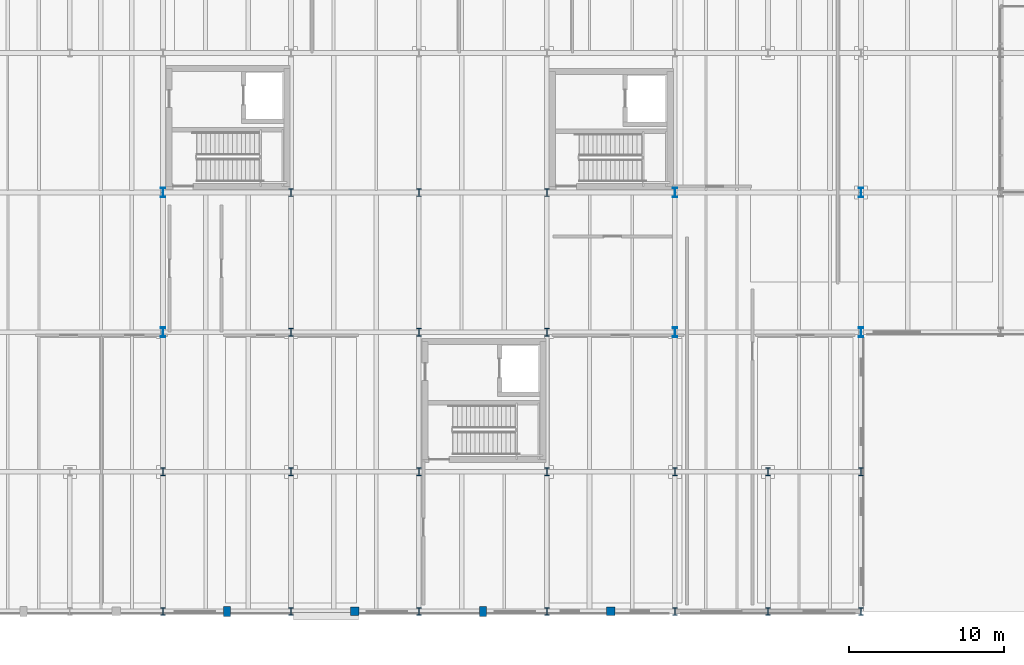
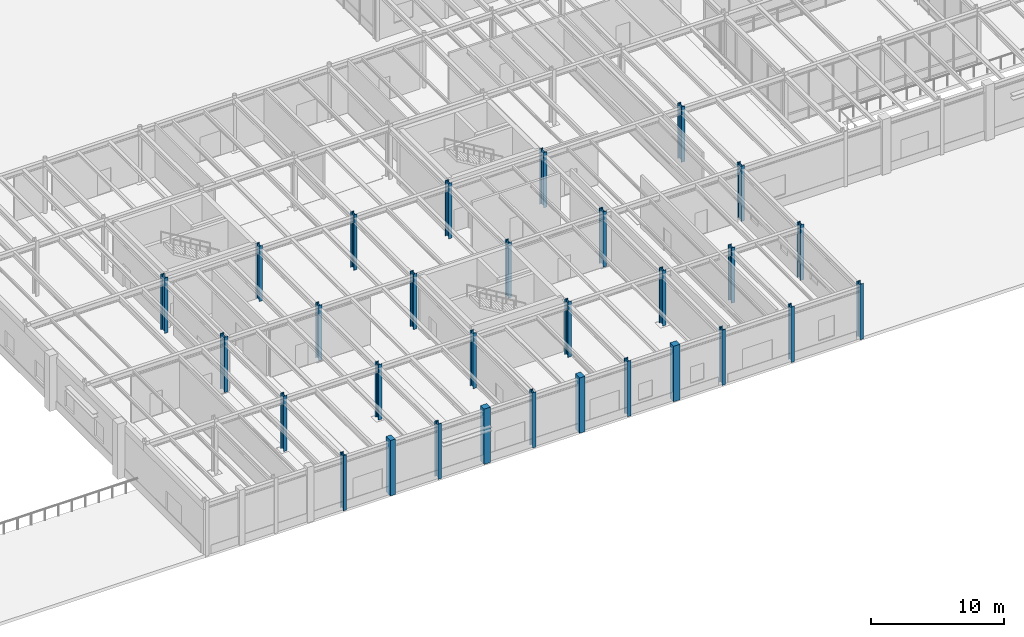
# One storey, part 4 of 64: 30 columns.
"""IFC4 building model written with IfcOpenShell, lengths in metres."""

import ifcopenshell
import ifcopenshell.guid

model = None  # the IFC model being written
_history = None  # IfcOwnerHistory: only IFC2X3 demands one
_inside = {}  # id of a spatial element -> (the spatial element, [elements in it])
_under = {}  # id of a project, library or spatial element -> (it, [spatial elements below it])
_declared = {}  # id of a project -> (the project, [libraries it declares])
_typed = {}  # id of a type object -> (the type object, [elements of that type])
_made_of = {}  # id of a material, layer set ... -> (it, [elements and type objects made of it])


def new_model(schema):
    """Start an empty IFC model of exactly this schema.

    Asked for "IFC4X3", IfcOpenShell would pick the latest addendum, in which some entities
    have other attributes; the version numbers below select the first issue.
    IFC2X3 requires an IfcOwnerHistory on every rooted entity: one is made here for all.
    """
    global model, _history
    if schema == "IFC4X3":
        model = ifcopenshell.file(schema_version=(4, 3, 0, 0))
    else:
        model = ifcopenshell.file(schema=schema)
    _inside.clear()
    _under.clear()
    _declared.clear()
    _typed.clear()
    _made_of.clear()
    _history = None
    if model.schema == "IFC2X3":
        org = make("IfcOrganization", Name="unknown")
        user = make(
            "IfcPersonAndOrganization",
            ThePerson=make("IfcPerson", FamilyName="unknown"),
            TheOrganization=org,
        )
        app = make(
            "IfcApplication",
            ApplicationDeveloper=org,
            Version="unknown",
            ApplicationFullName="unknown",
            ApplicationIdentifier="unknown",
        )
        _history = make(
            "IfcOwnerHistory",
            OwningUser=user,
            OwningApplication=app,
            ChangeAction="ADDED",
            CreationDate=0,
        )
    return model


def make(cls, **values):
    """One entity of the class cls with the attributes given. An attribute that is None is left unset."""
    return model.create_entity(
        cls, **{name: value for name, value in values.items() if value is not None}
    )


def rooted(cls, **values):
    """An entity with a GlobalId (a new one), such as an element, a storey or a relation."""
    return make(cls, GlobalId=ifcopenshell.guid.new(), OwnerHistory=_history, **values)


def si_unit(unit_type, name, prefix=None):
    """IfcSIUnit, for example si_unit("LENGTHUNIT", "METRE", prefix="MILLI")."""
    return make("IfcSIUnit", UnitType=unit_type, Prefix=prefix, Name=name)


def assignment(units):
    """IfcUnitAssignment: the units of a project."""
    return None if units is None else make("IfcUnitAssignment", Units=units)


def point(xyz):
    """IfcCartesianPoint."""
    return None if xyz is None else make("IfcCartesianPoint", Coordinates=xyz)


def direction(xyz):
    """IfcDirection."""
    return None if xyz is None else make("IfcDirection", DirectionRatios=xyz)


def frame(location, z_axis=None, x_axis=None):
    """IfcAxis2Placement3D, a coordinate frame: its origin and axes. An axis left out is left unset."""
    return make(
        "IfcAxis2Placement3D",
        Location=point(location),
        Axis=direction(z_axis),
        RefDirection=direction(x_axis),
    )


def frame_2d(location, x_axis=None):
    """IfcAxis2Placement2D, a coordinate frame in the plane: its origin and x axis."""
    return make(
        "IfcAxis2Placement2D", Location=point(location), RefDirection=direction(x_axis)
    )


def origin():
    """The frame at (0, 0, 0) with its axes left unset."""
    return frame((0.0, 0.0, 0.0))


def origin_2d():
    """The frame at (0, 0) in the plane with its x axis left unset."""
    return frame_2d((0.0, 0.0))


def place(relative_to, where):
    """IfcLocalPlacement: puts the frame where relative to a parent placement (None: the world)."""
    return make(
        "IfcLocalPlacement", PlacementRelTo=relative_to, RelativePlacement=where
    )


def context(
    kind, dimensions, precision=None, world=None, true_north=None, identifier=None
):
    """IfcGeometricRepresentationContext, for example the 3D "Model" context."""
    return make(
        "IfcGeometricRepresentationContext",
        ContextIdentifier=identifier,
        ContextType=kind,
        CoordinateSpaceDimension=dimensions,
        Precision=precision,
        WorldCoordinateSystem=world,
        TrueNorth=true_north,
    )


def subcontext(parent, identifier, kind, view, scale=None):
    """IfcGeometricRepresentationSubContext, for example "Body" below "Model"."""
    return make(
        "IfcGeometricRepresentationSubContext",
        ContextIdentifier=identifier,
        ContextType=kind,
        ParentContext=parent,
        TargetScale=scale,
        TargetView=view,
    )


def project(units=None, contexts=None):
    """IfcProject with its units and contexts."""
    return rooted(
        "IfcProject",
        Name="project",
        RepresentationContexts=contexts,
        UnitsInContext=assignment(units),
    )


def spatial(cls, under=None, at=None, **own):
    """A site, building, storey or space (cls), placed at a placement, below another one or the project."""
    s = rooted(cls, ObjectPlacement=at, **own)
    if under is not None:
        _under.setdefault(under.id(), (under, []))[1].append(s)
    return s


def profile(cls, at=None, kind="AREA", **sizes):
    """A parametric profile (cls). Its sizes go by their IFC names, for example OverallWidth=200.0."""
    return make(cls, ProfileType=kind, Position=at, **sizes)


def rectangle(**sizes):
    """IfcRectangleProfileDef."""
    return profile("IfcRectangleProfileDef", **sizes)


def i_section(**sizes):
    """IfcIShapeProfileDef."""
    return profile("IfcIShapeProfileDef", **sizes)


def extrude(swept, where, along, depth):
    """IfcExtrudedAreaSolid: the profile swept, set in the frame where, extruded along a direction by depth."""
    return make(
        "IfcExtrudedAreaSolid",
        SweptArea=swept,
        Position=where,
        ExtrudedDirection=direction(along),
        Depth=depth,
    )


def shape(context_of_items, identifier, shape_type, items):
    """IfcShapeRepresentation: the items that make up one representation, for example the "Body"."""
    return make(
        "IfcShapeRepresentation",
        ContextOfItems=context_of_items,
        RepresentationIdentifier=identifier,
        RepresentationType=shape_type,
        Items=items,
    )


def material(Name=None, Category=None):
    """IfcMaterial."""
    return make("IfcMaterial", Name=Name, Category=Category)


def material_profile(
    of_material, cross_section, Name=None, Category=None, Priority=None
):
    """IfcMaterialProfile: a cross section and its material."""
    return make(
        "IfcMaterialProfile",
        Name=Name,
        Material=of_material,
        Profile=cross_section,
        Priority=Priority,
        Category=Category,
    )


def profile_set(profiles, Name=None, composite=None):
    """IfcMaterialProfileSet."""
    return make(
        "IfcMaterialProfileSet",
        Name=Name,
        MaterialProfiles=profiles,
        CompositeProfile=composite,
    )


def made_of(thing, what):
    """Note that an element or type object is made of a material, layer set ...; save() writes the relation."""
    if what is not None:
        _made_of.setdefault(what.id(), (what, []))[1].append(thing)
    return thing


def type_object(cls, material=None, **own):
    """A type object (cls), such as IfcWallType, which elements share."""
    return made_of(rooted(cls, **own), material)


def element(
    cls,
    number,
    at=None,
    inside=None,
    cuts=None,
    type_object=None,
    material=None,
    context=None,
    identifier="Body",
    shape_type=None,
    held_by="IfcProductDefinitionShape",
    body=None,
    shapes=None,
    **own,
):
    """One element of the class cls, such as IfcWall. Its Tag is "e" and its number.

    at: its placement. inside: the storey or other place that contains it. cuts: it is an
    opening in that element (IfcRelVoidsElement). A single representation is given by context,
    identifier, shape_type and body (its items); several are given by shapes. held_by: the class
    of the entity that holds the representations. save() writes the other relations.
    """
    e = rooted(cls, Tag="e%d" % number, ObjectPlacement=at, **own)
    if body is not None:
        shapes = [shape(context, identifier, shape_type, body)]
    if shapes is not None:
        e.Representation = make(held_by, Representations=shapes)
    if inside is not None:
        _inside.setdefault(inside.id(), (inside, []))[1].append(e)
    if cuts is not None:
        rooted(
            "IfcRelVoidsElement", RelatingBuildingElement=cuts, RelatedOpeningElement=e
        )
    if type_object is not None:
        _typed.setdefault(type_object.id(), (type_object, []))[1].append(e)
    return made_of(e, material)


def aggregate(whole, parts):
    """IfcRelAggregates: a whole, such as a stair, and the parts it consists of."""
    return rooted("IfcRelAggregates", RelatingObject=whole, RelatedObjects=parts)


def save(model, path):
    """Write the relations noted so far, then the file.

    IfcRelAggregates (storeys below a building ...), IfcRelContainedInSpatialStructure (elements
    in a storey), IfcRelDefinesByType, IfcRelAssociatesMaterial and IfcRelDeclares: one each for
    every whole, place, type object, material and project.
    """
    for whole, parts in _under.values():
        aggregate(whole, parts)
    for where, things in _inside.values():
        rooted(
            "IfcRelContainedInSpatialStructure",
            RelatedElements=things,
            RelatingStructure=where,
        )
    for kind, things in _typed.values():
        rooted("IfcRelDefinesByType", RelatedObjects=things, RelatingType=kind)
    for what, things in _made_of.values():
        rooted("IfcRelAssociatesMaterial", RelatedObjects=things, RelatingMaterial=what)
    for by, libraries in _declared.values():
        rooted("IfcRelDeclares", RelatingContext=by, RelatedDefinitions=libraries)
    model.write(path)


model = new_model("IFC4")

# Units and contexts
model_context = context("Model", 3, precision=1e-05, world=origin(), true_north=direction((0.0, 1.0)))
body_context = subcontext(model_context, "Body", "Model", "MODEL_VIEW")
ifc_project = project(units=[si_unit("LENGTHUNIT", "METRE"), si_unit("AREAUNIT", "SQUARE_METRE"), si_unit("VOLUMEUNIT", "CUBIC_METRE"), si_unit("PLANEANGLEUNIT", "RADIAN"), si_unit("MASSUNIT", "GRAM", prefix="KILO")], contexts=[model_context])

# Site, building, storey
site_placement = place(None, origin())
site = spatial("IfcSite", under=ifc_project, at=site_placement, CompositionType="ELEMENT")
building_placement = place(site_placement, origin())
building = spatial("IfcBuilding", under=site, at=building_placement, Name="Montealbar Specialist Clinic", CompositionType="ELEMENT")
storey_placement = place(building_placement, origin())
storey = spatial("IfcBuildingStorey", under=building, at=storey_placement, Name="L00", CompositionType="ELEMENT", Elevation=0.0)

# Columns
ifc_material_1 = material(Name="Steel S355", Category="steel")
ifc_material_profile_1 = material_profile(ifc_material_1, i_section(OverallWidth=0.304931640625, OverallDepth=0.6201171875, WebThickness=0.02099609375, FlangeThickness=0.0400390625, FilletRadius=0.027099609375, at=origin_2d()), Name="HEM 600", Category="steel")
ifc_profile_set_1 = profile_set([ifc_material_profile_1], Name="Steel S355")
column_type_1 = type_object("IfcColumnType", Name="COL-S-L00-MEGA", PredefinedType="COLUMN", material=ifc_profile_set_1)
for number, where, z_axis, x_axis, name in (
    (1, (66.0, 18.0, 0.0), (0.0, 0.0, 1.0), (1.0, 0.0, 0.0), "Column 9/C L00"),
    (2, (66.0, 27.0, 0.0), (0.0, 0.0, 1.0), (1.0, 0.0, 0.0), "Column 9/D L00"),
    (3, (99.0, 18.0, 0.0), (0.0, 0.0, 1.0), (1.0, 0.0, 0.0), "Column 13/C L00"),
    (4, (99.0, 27.0, 0.0), (0.0, 0.0, 1.0), (1.0, 0.0, 0.0), "Column 13/D L00"),
    (5, (111.0, 27.0, 0.0), (0.0, 0.0, 1.0), (1.0, 0.0, 0.0), "Column 15/D L00"),
):
    element("IfcColumn", number, at=place(storey_placement, frame(where, z_axis=z_axis, x_axis=x_axis)), inside=storey, type_object=column_type_1, Name=name, PredefinedType="COLUMN", context=body_context, shape_type="SweptSolid", body=[
        extrude(i_section(OverallWidth=0.304931640625, OverallDepth=0.6201171875, WebThickness=0.02099609375, FlangeThickness=0.0400390625, FilletRadius=0.027099609375, at=origin_2d()), origin(), (0.0, 0.0, 1.0), 5.10009765625),
    ])
ifc_material_profile_2 = material_profile(ifc_material_1, i_section(OverallWidth=0.304931640625, OverallDepth=0.6201171875, WebThickness=0.02099609375, FlangeThickness=0.0400390625, FilletRadius=0.027099609375, at=origin_2d()), Name="HEM 600", Category="steel")
ifc_profile_set_2 = profile_set([ifc_material_profile_2], Name="Steel S355")
column_type_2 = type_object("IfcColumnType", Name="COL-S-L00-MEGA-EXT", PredefinedType="COLUMN", material=ifc_profile_set_2)
column_placement = place(storey_placement, frame((111.0, 18.0, 0.0), z_axis=(0.0, 0.0, 1.0), x_axis=(1.0, 0.0, 0.0)))
element("IfcColumn", 6, at=column_placement, inside=storey, type_object=column_type_2, Name="Column 15/C L00", PredefinedType="COLUMN", context=body_context, shape_type="SweptSolid", body=[
    extrude(i_section(OverallWidth=0.304931640625, OverallDepth=0.6201171875, WebThickness=0.02099609375, FlangeThickness=0.0400390625, FilletRadius=0.027099609375, at=origin_2d()), origin(), (0.0, 0.0, 1.0), 5.10009765625),
])
ifc_material_profile_3 = material_profile(ifc_material_1, i_section(OverallWidth=0.300048828125, OverallDepth=0.5, WebThickness=0.014404296875, FlangeThickness=0.028076171875, FilletRadius=0.027099609375, at=origin_2d()), Name="HEB 500", Category="steel")
ifc_profile_set_3 = profile_set([ifc_material_profile_3], Name="Steel S355")
column_type_3 = type_object("IfcColumnType", Name="COL-S-L00-STD", PredefinedType="COLUMN", material=ifc_profile_set_3)
for number, where, z_axis, x_axis, name in (
    (7, (66.0, 9.0, 0.0), (0.0, 0.0, 1.0), (1.0, 0.0, 0.0), "Column 9/B L00"),
    (8, (74.25, 9.0, 0.0), (0.0, 0.0, 1.0), (1.0, 0.0, 0.0), "Column 10/B L00"),
    (9, (74.25, 18.0, 0.0), (0.0, 0.0, 1.0), (1.0, 0.0, 0.0), "Column 10/C L00"),
    (10, (74.25, 27.0, 0.0), (0.0, 0.0, 1.0), (1.0, 0.0, 0.0), "Column 10/D L00"),
    (11, (82.5, 9.0, 0.0), (0.0, 0.0, 1.0), (1.0, 0.0, 0.0), "Column 11/B L00"),
    (12, (82.5, 18.0, 0.0), (0.0, 0.0, 1.0), (1.0, 0.0, 0.0), "Column 11/C L00"),
    (13, (82.5, 27.0, 0.0), (0.0, 0.0, 1.0), (1.0, 0.0, 0.0), "Column 11/D L00"),
    (14, (90.75, 9.0, 0.0), (0.0, 0.0, 1.0), (1.0, 0.0, 0.0), "Column 12/B L00"),
    (15, (90.75, 18.0, 0.0), (0.0, 0.0, 1.0), (1.0, 0.0, 0.0), "Column 12/C L00"),
    (16, (90.75, 27.0, 0.0), (0.0, 0.0, 1.0), (1.0, 0.0, 0.0), "Column 12/D L00"),
    (17, (99.0, 9.0, 0.0), (0.0, 0.0, 1.0), (1.0, 0.0, 0.0), "Column 13/B L00"),
    (18, (105.0, 9.0, 0.0), (0.0, 0.0, 1.0), (1.0, 0.0, 0.0), "Column 14/B L00"),
):
    element("IfcColumn", number, at=place(storey_placement, frame(where, z_axis=z_axis, x_axis=x_axis)), inside=storey, type_object=column_type_3, Name=name, PredefinedType="COLUMN", context=body_context, shape_type="SweptSolid", body=[
        extrude(i_section(OverallWidth=0.300048828125, OverallDepth=0.5, WebThickness=0.014404296875, FlangeThickness=0.028076171875, FilletRadius=0.027099609375, at=origin_2d()), origin(), (0.0, 0.0, 1.0), 5.10009765625),
    ])
ifc_material_profile_4 = material_profile(ifc_material_1, i_section(OverallWidth=0.300048828125, OverallDepth=0.5, WebThickness=0.014404296875, FlangeThickness=0.028076171875, FilletRadius=0.027099609375, at=origin_2d()), Name="HEB 500", Category="steel")
ifc_profile_set_4 = profile_set([ifc_material_profile_4], Name="Steel S355")
column_type_4 = type_object("IfcColumnType", Name="COL-S-L00-STD-EXT", PredefinedType="COLUMN", material=ifc_profile_set_4)
for number, where, z_axis, x_axis, name in (
    (19, (66.0, 0.0, 0.0), (0.0, 0.0, 1.0), (1.0, 0.0, 0.0), "Column 9/A L00"),
    (20, (74.25, 0.0, 0.0), (0.0, 0.0, 1.0), (1.0, 0.0, 0.0), "Column 10/A L00"),
    (21, (82.5, 0.0, 0.0), (0.0, 0.0, 1.0), (1.0, 0.0, 0.0), "Column 11/A L00"),
    (22, (90.75, 0.0, 0.0), (0.0, 0.0, 1.0), (1.0, 0.0, 0.0), "Column 12/A L00"),
    (23, (99.0, 0.0, 0.0), (0.0, 0.0, 1.0), (1.0, 0.0, 0.0), "Column 13/A L00"),
    (24, (105.0, 0.0, 0.0), (0.0, 0.0, 1.0), (1.0, 0.0, 0.0), "Column 14/A L00"),
    (25, (111.0, 0.0, 0.0), (0.0, 0.0, 1.0), (1.0, 0.0, 0.0), "Column 15/A L00"),
    (26, (111.0, 9.0, 0.0), (0.0, 0.0, 1.0), (1.0, 0.0, 0.0), "Column 15/B L00"),
):
    element("IfcColumn", number, at=place(storey_placement, frame(where, z_axis=z_axis, x_axis=x_axis)), inside=storey, type_object=column_type_4, Name=name, PredefinedType="COLUMN", context=body_context, shape_type="SweptSolid", body=[
        extrude(i_section(OverallWidth=0.300048828125, OverallDepth=0.5, WebThickness=0.014404296875, FlangeThickness=0.028076171875, FilletRadius=0.027099609375, at=origin_2d()), origin(), (0.0, 0.0, 1.0), 5.10009765625),
    ])
ifc_material_2 = material(Name="Guadarrama granite ashlar", Category="masonry")
ifc_material_profile_5 = material_profile(ifc_material_2, rectangle(XDim=0.449951171875, YDim=0.64990234375, at=origin_2d()), Name="GRANITE PILASTER 450x650", Category="masonry")
ifc_profile_set_5 = profile_set([ifc_material_profile_5], Name="Guadarrama granite ashlar")
column_type_5 = type_object("IfcColumnType", Name="PIL-GRANITE-A", PredefinedType="PILASTER", material=ifc_profile_set_5)
for number, where, z_axis, x_axis, name in (
    (27, (70.125, 0.0, 0.0), (0.0, 0.0, 1.0), (1.0, 0.0, 0.0), "Column P3/A L00"),
    (28, (86.625, 0.0, 0.0), (0.0, 0.0, 1.0), (1.0, 0.0, 0.0), "Column P5/A L00"),
):
    element("IfcColumn", number, at=place(storey_placement, frame(where, z_axis=z_axis, x_axis=x_axis)), inside=storey, type_object=column_type_5, Name=name, PredefinedType="PILASTER", context=body_context, shape_type="SweptSolid", body=[
        extrude(rectangle(XDim=0.449951171875, YDim=0.64990234375, at=origin_2d()), origin(), (0.0, 0.0, 1.0), 5.10009765625),
    ])
ifc_material_profile_6 = material_profile(ifc_material_2, rectangle(XDim=0.550048828125, YDim=0.550048828125, at=origin_2d()), Name="GRANITE PILASTER 550x550", Category="masonry")
ifc_profile_set_6 = profile_set([ifc_material_profile_6], Name="Guadarrama granite ashlar")
column_type_6 = type_object("IfcColumnType", Name="PIL-GRANITE-B", PredefinedType="PILASTER", material=ifc_profile_set_6)
for number, where, z_axis, x_axis, name in (
    (29, (78.375, 0.0, 0.0), (0.0, 0.0, 1.0), (1.0, 0.0, 0.0), "Column P4/A L00"),
    (30, (94.875, 0.0, 0.0), (0.0, 0.0, 1.0), (1.0, 0.0, 0.0), "Column P6/A L00"),
):
    element("IfcColumn", number, at=place(storey_placement, frame(where, z_axis=z_axis, x_axis=x_axis)), inside=storey, type_object=column_type_6, Name=name, PredefinedType="PILASTER", context=body_context, shape_type="SweptSolid", body=[
        extrude(rectangle(XDim=0.550048828125, YDim=0.550048828125, at=origin_2d()), origin(), (0.0, 0.0, 1.0), 5.10009765625),
    ])

save(model, "model.ifc")
